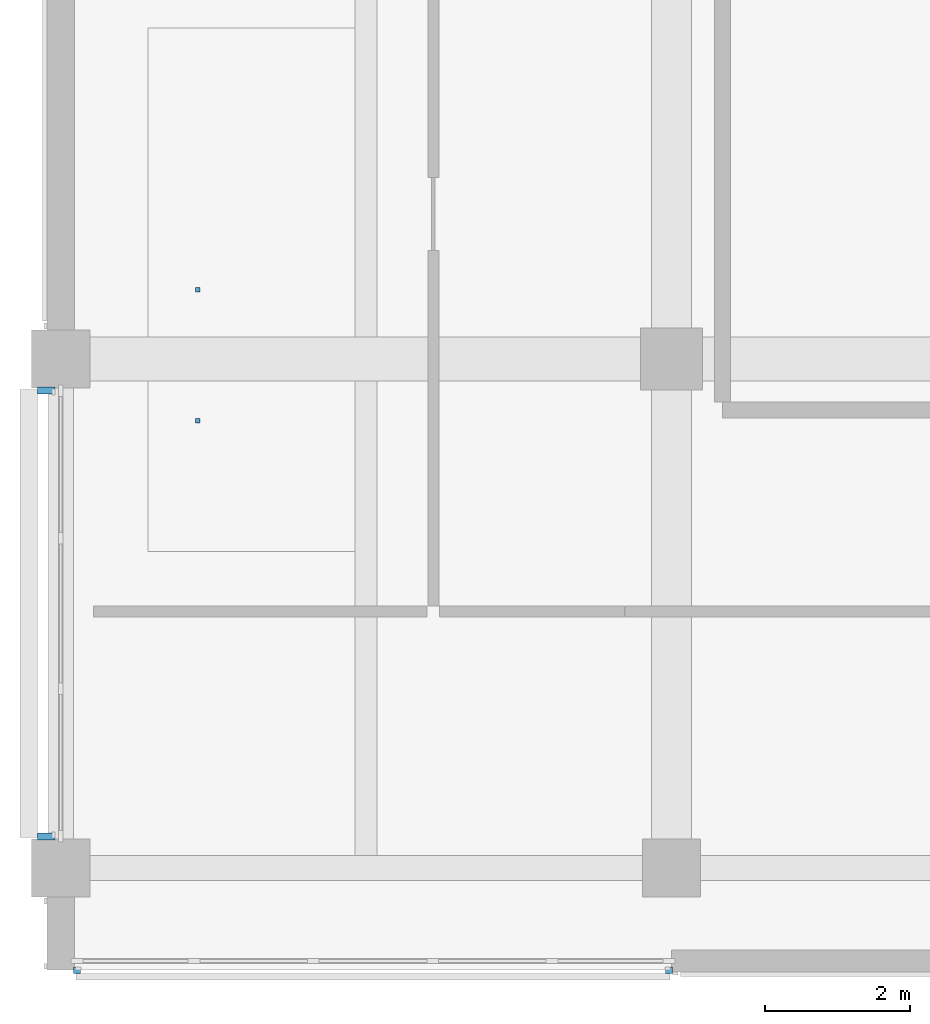
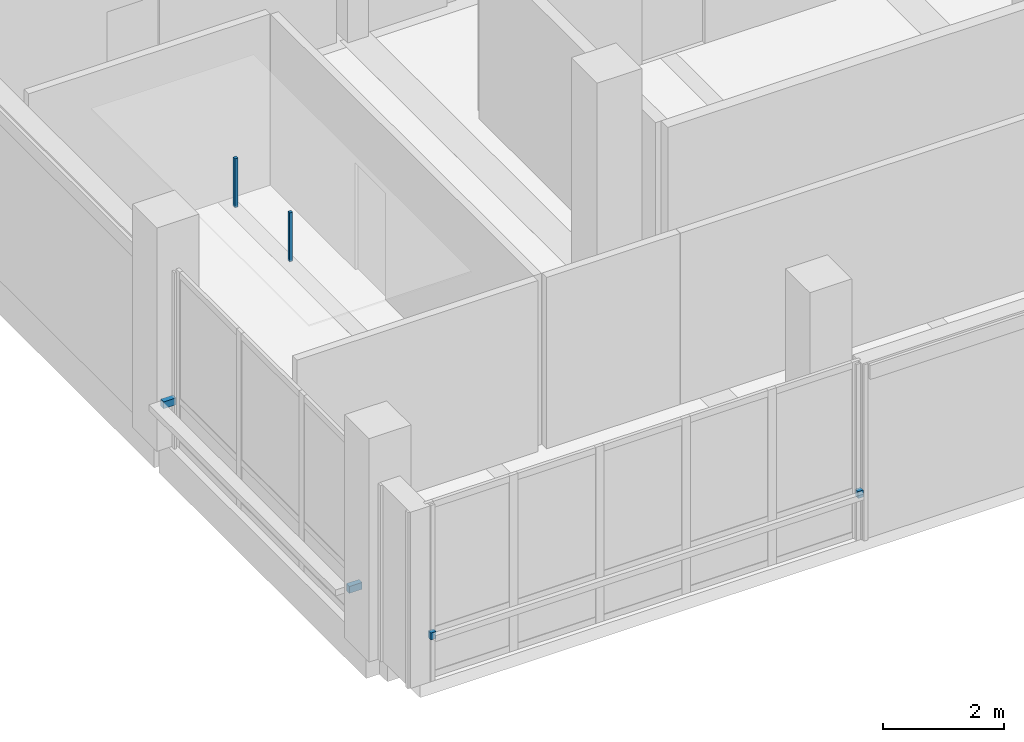
# One storey, part 14 of 35: 6 discrete accessories.
"""IFC4 building model written with IfcOpenShell, lengths in metres."""

from ifc_helpers import new_model, si_unit, direction, frame, origin, origin_2d, place, context, subcontext, project, spatial, rectangle, extrude, material, type_object, element, save


model = new_model("IFC4")

# Units and contexts
model_context = context("Model", 3, precision=1e-05, world=origin(), true_north=direction((0.0, 1.0)))
body_context = subcontext(model_context, "Body", "Model", "MODEL_VIEW")
ifc_project = project(units=[si_unit("LENGTHUNIT", "METRE"), si_unit("AREAUNIT", "SQUARE_METRE"), si_unit("VOLUMEUNIT", "CUBIC_METRE"), si_unit("PLANEANGLEUNIT", "RADIAN"), si_unit("MASSUNIT", "GRAM", prefix="KILO")], contexts=[model_context])

# Site, building, storey
site_placement = place(None, origin())
site = spatial("IfcSite", under=ifc_project, at=site_placement, CompositionType="ELEMENT")
building_placement = place(site_placement, origin())
building = spatial("IfcBuilding", under=site, at=building_placement, Name="Telukmera Botanical Conservatory", CompositionType="ELEMENT")
storey_placement = place(building_placement, frame((0.0, 0.0, 28.5)))
storey = spatial("IfcBuildingStorey", under=building, at=storey_placement, Name="L06", CompositionType="ELEMENT", Elevation=28.5)

# Discrete accessories
ifc_material = material(Name="Steel S355", Category="steel")
discrete_accessory_type_1 = type_object("IfcDiscreteAccessoryType", Name="ACC-CEIL-HGR", PredefinedType="BRACKET", material=ifc_material)
for number, where, z_axis, x_axis, name in (
    (1, (52.281982421875, 16.75, 3.31982421875), (0.0, 0.0, 1.0), (1.0, 0.0, 0.0), "L06 Suspended Ceiling Hanger Rod 027-1"),
    (2, (52.281982421875, 18.550048828125, 3.31982421875), (0.0, 0.0, 1.0), (1.0, 0.0, 0.0), "L06 Suspended Ceiling Hanger Rod 027-2"),
):
    element("IfcDiscreteAccessory", number, at=place(storey_placement, frame(where, z_axis=z_axis, x_axis=x_axis)), inside=storey, type_object=discrete_accessory_type_1, Name=name, PredefinedType="BRACKET", context=body_context, shape_type="SweptSolid", body=[
        extrude(rectangle(XDim=0.06005859375, YDim=0.06005859375, at=origin_2d()), origin(), (0.0, 0.0, 1.0), 0.985107421875),
    ])
discrete_accessory_type_2 = type_object("IfcDiscreteAccessoryType", Name="Structural Steel Facade Outrigger Fin Bracket", PredefinedType="BRACKET", material=ifc_material)
for number, where, z_axis, x_axis, name in (
    (3, (50.62451171875, 9.195068359375, 0.8798828125), (0.0, 0.0, 1.0), (1.0, 0.0, 0.0), "Facade Outrigger Bracket V4:L06:S1 A"),
    (4, (58.765380859375, 9.195068359375, 0.8798828125), (0.0, 0.0, 1.0), (1.0, 0.0, 0.0), "Facade Outrigger Bracket V4:L06:S1 B"),
):
    element("IfcDiscreteAccessory", number, at=place(storey_placement, frame(where, z_axis=z_axis, x_axis=x_axis)), inside=storey, type_object=discrete_accessory_type_2, Name=name, PredefinedType="BRACKET", context=body_context, shape_type="SweptSolid", body=[
        extrude(rectangle(XDim=0.10009765625, YDim=0.090087890625, at=origin_2d()), origin(), (0.0, 0.0, 1.0), 0.139892578125),
    ])
for number, where, z_axis, x_axis, name in (
    (5, (50.199951171875, 11.034423828125, 0.8798828125), (0.0, 0.0, 1.0), (0.0, 1.0, 0.0), "Facade Outrigger Bracket V4:L06:W1 A"),
    (6, (50.199951171875, 17.16552734375, 0.8798828125), (0.0, 0.0, 1.0), (0.0, 1.0, 0.0), "Facade Outrigger Bracket V4:L06:W1 B"),
):
    element("IfcDiscreteAccessory", number, at=place(storey_placement, frame(where, z_axis=z_axis, x_axis=x_axis)), inside=storey, type_object=discrete_accessory_type_2, Name=name, PredefinedType="BRACKET", context=body_context, shape_type="SweptSolid", body=[
        extrude(rectangle(XDim=0.10009765625, YDim=0.239990234375, at=origin_2d()), origin(), (0.0, 0.0, 1.0), 0.139892578125),
    ])

save(model, "model.ifc")
